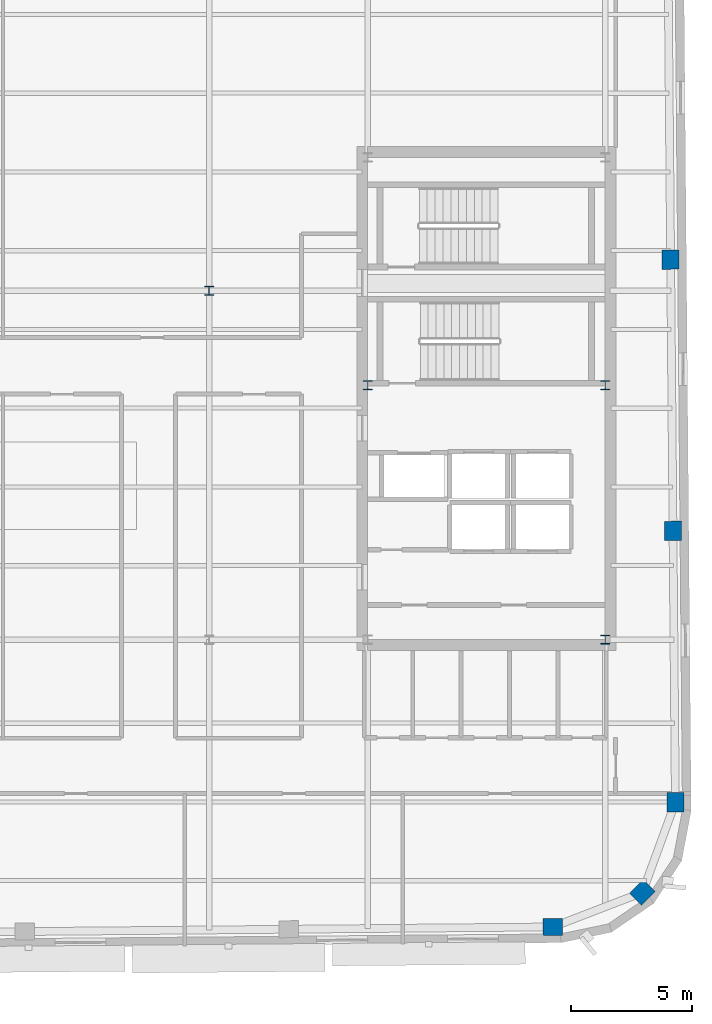
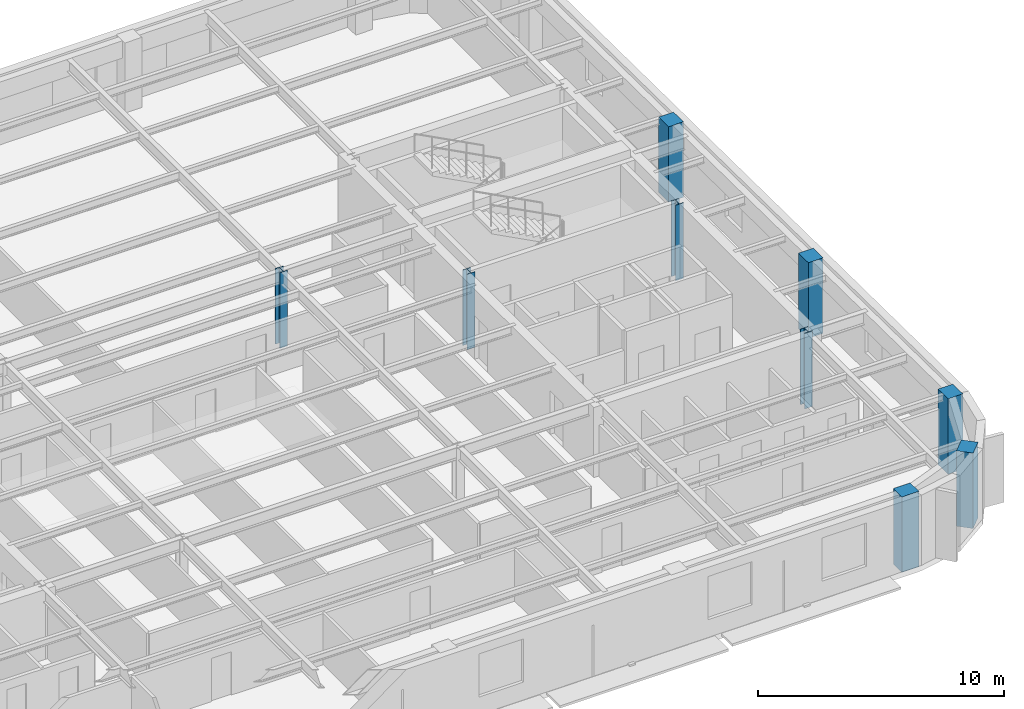
# One storey, part 2 of 15: 9 columns.
"""IFC4 building model written with IfcOpenShell, lengths in metres."""

from ifc_helpers import new_model, si_unit, direction, frame, origin, origin_2d, place, context, subcontext, project, spatial, rectangle, i_section, extrude, material, material_profile, profile_set, type_object, element, save


model = new_model("IFC4")

# Units and contexts
model_context = context("Model", 3, precision=1e-05, world=origin(), true_north=direction((0.0, 1.0)))
body_context = subcontext(model_context, "Body", "Model", "MODEL_VIEW")
ifc_project = project(units=[si_unit("LENGTHUNIT", "METRE"), si_unit("AREAUNIT", "SQUARE_METRE"), si_unit("VOLUMEUNIT", "CUBIC_METRE"), si_unit("PLANEANGLEUNIT", "RADIAN"), si_unit("MASSUNIT", "GRAM", prefix="KILO")], contexts=[model_context])

# Site, building, storey
site_placement = place(None, origin())
site = spatial("IfcSite", under=ifc_project, at=site_placement, CompositionType="ELEMENT")
building_placement = place(site_placement, origin())
building = spatial("IfcBuilding", under=site, at=building_placement, Name="Kolvaren Arena Tower", CompositionType="ELEMENT")
storey_placement = place(building_placement, frame((0.0, 0.0, 282.39990234375)))
storey = spatial("IfcBuildingStorey", under=building, at=storey_placement, Name="L69", CompositionType="ELEMENT", Elevation=282.39990234375)

# Columns
ifc_material_1 = material(Name="Precast concrete C50/60", Category="concrete")
ifc_material_profile_1 = material_profile(ifc_material_1, rectangle(XDim=0.800048828125, YDim=0.699951171875, at=origin_2d()), Name="RC-800x700")
ifc_profile_set_1 = profile_set([ifc_material_profile_1], Name="Precast concrete C50/60")
column_type_1 = type_object("IfcColumnType", Name="EXCOL-Z5", PredefinedType="COLUMN", material=ifc_profile_set_1)
for number, where, z_axis, x_axis, name in (
    (1, (58.190185546875, 7.591064453125, -0.27001953125), (0.0, 0.0, 1.0), (0.999961923064, 0.008726535498, 0.0), "Exoskeleton Perimeter Column 05 (L69)"),
    (2, (61.88671875, 9.0146484375, -0.27001953125), (0.0, 0.0, 1.0), (0.7009092643, 0.713250449154, 0.0), "Exoskeleton Perimeter Column 06 (L69)"),
    (3, (63.24560546875, 12.7353515625, -0.27001953125), (0.0, 0.0, 1.0), (-0.008726535498, 0.999961923064, 0.0), "Exoskeleton Perimeter Column 07 (L69)"),
    (4, (63.147705078125, 23.93505859375, -0.27001953125), (0.0, 0.0, 1.0), (-0.008726535498, 0.999961923064, 0.0), "Exoskeleton Perimeter Column 08 (L69)"),
    (5, (63.050048828125, 35.134521484375, -0.27001953125), (0.0, 0.0, 1.0), (-0.008726535498, 0.999961923064, 0.0), "Exoskeleton Perimeter Column 09 (L69)"),
):
    element("IfcColumn", number, at=place(storey_placement, frame(where, z_axis=z_axis, x_axis=x_axis)), inside=storey, type_object=column_type_1, Name=name, PredefinedType="COLUMN", context=body_context, shape_type="SweptSolid", body=[
        extrude(rectangle(XDim=0.800048828125, YDim=0.699951171875, at=origin_2d()), origin(), (0.0, 0.0, 1.0), 3.75),
    ])
ifc_material_2 = material(Name="Steel ASTM A913 Grade 65", Category="steel")
ifc_material_profile_2 = material_profile(ifc_material_2, i_section(OverallWidth=0.3740234375, OverallDepth=0.3720703125, WebThickness=0.016357421875, FlangeThickness=0.026123046875, FilletRadius=0.02001953125, at=origin_2d()), Name="W360x196")
ifc_profile_set_2 = profile_set([ifc_material_profile_2], Name="Steel ASTM A913 Grade 65")
column_type_2 = type_object("IfcColumnType", Name="SCOL-Z5", PredefinedType="COLUMN", material=ifc_profile_set_2)
for number, where, z_axis, x_axis, name in (
    (6, (60.35009765625, 19.449951171875, -0.27001953125), (0.0, 0.0, 1.0), (1.0, 0.0, 0.0), "Core Boundary Column EC-SE (L69)"),
    (7, (50.550048828125, 29.949951171875, -0.27001953125), (0.0, 0.0, 1.0), (1.0, 0.0, 0.0), "Core Boundary Column EC-MW (L69)"),
    (8, (60.35009765625, 29.949951171875, -0.27001953125), (0.0, 0.0, 1.0), (1.0, 0.0, 0.0), "Core Boundary Column EC-ME (L69)"),
    (9, (44.0, 33.85009765625, -0.27001953125), (0.0, 0.0, 1.0), (1.0, 0.0, 0.0), "Interior Gravity Column TC-NE (L69)"),
):
    element("IfcColumn", number, at=place(storey_placement, frame(where, z_axis=z_axis, x_axis=x_axis)), inside=storey, type_object=column_type_2, Name=name, PredefinedType="COLUMN", context=body_context, shape_type="SweptSolid", body=[
        extrude(i_section(OverallWidth=0.3740234375, OverallDepth=0.3720703125, WebThickness=0.016357421875, FlangeThickness=0.026123046875, FilletRadius=0.02001953125, at=origin_2d()), origin(), (0.0, 0.0, 1.0), 3.75),
    ])

save(model, "model.ifc")
